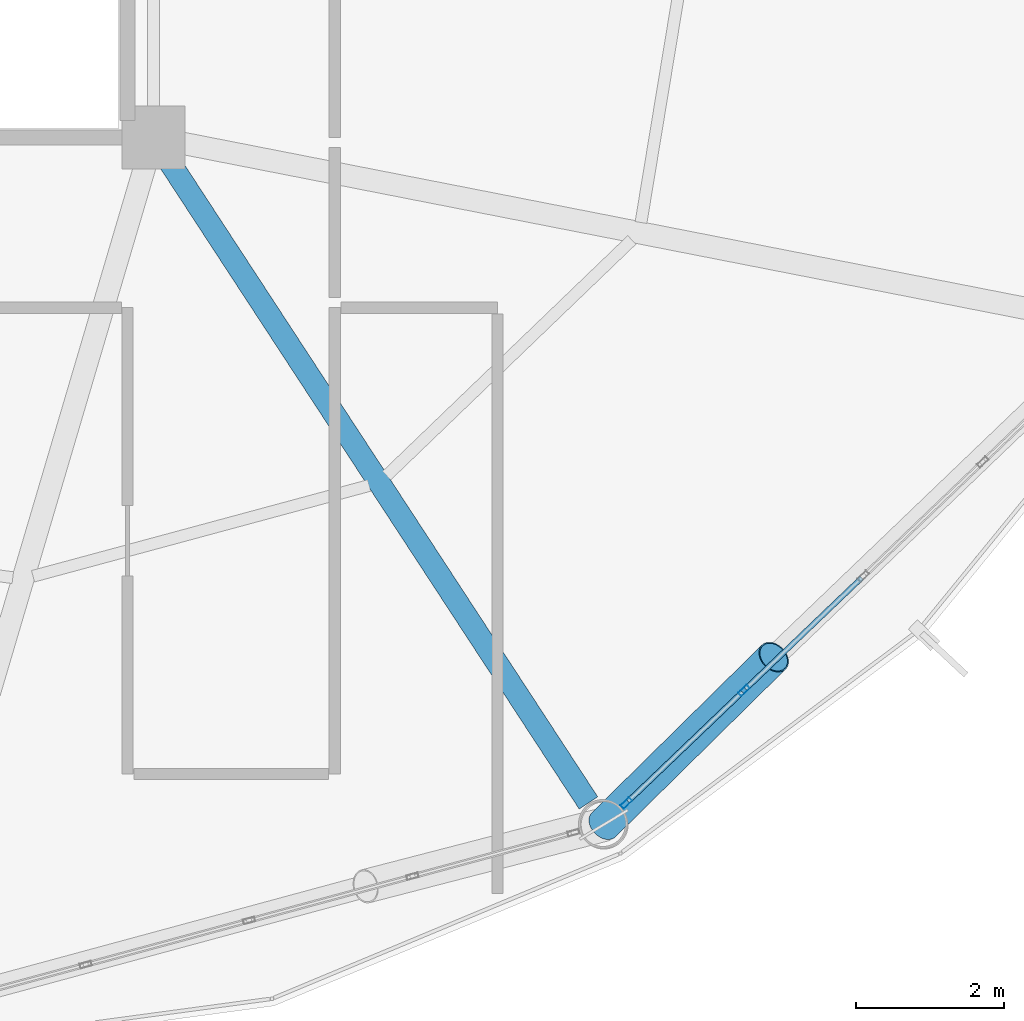
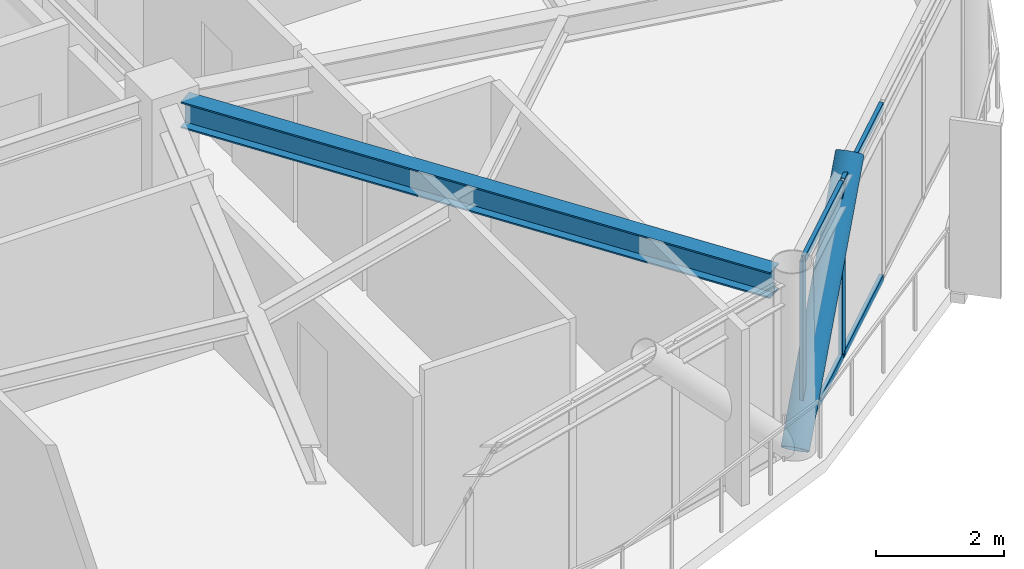
# One storey, part 9 of 28: 7 members, 1 beam, 1 element without a shape of its own.
"""IFC4 building model written with IfcOpenShell, lengths in metres."""

from ifc_helpers import new_model, si_unit, direction, frame, origin, origin_2d, place, context, subcontext, project, spatial, hollow_rectangle, hollow_circle, i_section, extrude, material, layer, layer_set, material_profile, profile_set, type_object, element, aggregate, save


model = new_model("IFC4")

# Units and contexts
model_context = context("Model", 3, precision=1e-05, world=origin(), true_north=direction((0.0, 1.0)))
body_context = subcontext(model_context, "Body", "Model", "MODEL_VIEW")
ifc_project = project(units=[si_unit("LENGTHUNIT", "METRE"), si_unit("AREAUNIT", "SQUARE_METRE"), si_unit("VOLUMEUNIT", "CUBIC_METRE"), si_unit("PLANEANGLEUNIT", "RADIAN"), si_unit("MASSUNIT", "GRAM", prefix="KILO")], contexts=[model_context])

# Site, building, storey
site_placement = place(None, origin())
site = spatial("IfcSite", under=ifc_project, at=site_placement, CompositionType="ELEMENT")
building_placement = place(site_placement, origin())
building = spatial("IfcBuilding", under=site, at=building_placement, Name="Varnakorn Sky Granary", CompositionType="ELEMENT")
storey_placement = place(building_placement, frame((0.0, 0.0, 204.0)))
storey = spatial("IfcBuildingStorey", under=building, at=storey_placement, Name="L51", CompositionType="ELEMENT", Elevation=204.0)

# Beam
ifc_material_1 = material(Name="Steel S355JR", Category="steel")
ifc_material_profile_1 = material_profile(ifc_material_1, i_section(OverallWidth=0.300048828125, OverallDepth=0.5, WebThickness=0.014404296875, FlangeThickness=0.028076171875, at=origin_2d()), Name="HE 500 B")
ifc_profile_set_1 = profile_set([ifc_material_profile_1], Name="Steel S355JR")
beam_type = type_object("IfcBeamType", Name="BM-RAD-Z4", PredefinedType="BEAM", material=ifc_profile_set_1)
beam_placement = place(storey_placement, frame((8.571533203125, -6.93896484375, 3.110107421875), z_axis=(0.547240456698, -0.836975437246, 0.0), x_axis=(0.836975437246, 0.547240456698, 0.0)))
element("IfcBeam", 1, at=beam_placement, inside=storey, type_object=beam_type, Name="Radial Floor Girder RG11 L51", PredefinedType="BEAM", context=body_context, shape_type="SweptSolid", body=[
    extrude(i_section(OverallWidth=0.300048828125, OverallDepth=0.5, WebThickness=0.014404296875, FlangeThickness=0.028076171875, at=origin_2d()), origin(), (0.0, 0.0, 1.0), 10.33984375),
])

# Curtain wall, members
ifc_material_2 = material(Name="Anodised Bronze Aluminium Alloy 6063-T6", Category="aluminium")
ifc_layer = layer(ifc_material_2, 0.169921875, Name="Anodised Bronze Aluminium Alloy 6063-T6")
ifc_layer_set = layer_set([ifc_layer], Name="Anodised Bronze Aluminium Alloy 6063-T6")
curtain_wall_type = type_object("IfcCurtainWallType", Name="CW-LAB-1", PredefinedType="USERDEFINED", material=ifc_layer_set)
curtain_wall_placement = place(storey_placement, origin())
curtain_wall = element("IfcCurtainWall", 2, at=curtain_wall_placement, inside=storey, type_object=curtain_wall_type, Name="Unitised Curtain Wall CW5 CW-L51-B11", ObjectType="CURTAIN WALL", PredefinedType="USERDEFINED")
ifc_material_profile_2 = material_profile(ifc_material_2, hollow_rectangle(XDim=0.06494140625, YDim=0.159912109375, WallThickness=0.00341796875, at=origin_2d()), Name="ALU MULL 65x160")
ifc_profile_set_2 = profile_set([ifc_material_profile_2], Name="Anodised Bronze Aluminium Alloy 6063-T6")
member_type_1 = type_object("IfcMemberType", Name="CW-LAB-1-MULL", PredefinedType="MULLION", material=ifc_profile_set_2)
member_1_placement = place(storey_placement, frame((16.331787109375, -14.072998046875, 0.0), z_axis=(0.0, 0.0, 1.0), x_axis=(0.691317195735, -0.722551406393, 0.0)))
member_1 = element("IfcMember", 3, at=member_1_placement, type_object=member_type_1, Name="CW5 mullion 4", PredefinedType="MULLION", context=body_context, shape_type="SweptSolid", body=[
    extrude(hollow_rectangle(XDim=0.06494140625, YDim=0.159912109375, WallThickness=0.00341796875, at=origin_2d()), origin(), (0.0, 0.0, 1.0), 3.360107421875),
])
member_2_placement = place(storey_placement, frame((14.74169921875, -15.59423828125, 0.0), z_axis=(0.0, 0.0, 1.0), x_axis=(0.691317195735, -0.722551406393, 0.0)))
member_2 = element("IfcMember", 4, at=member_2_placement, type_object=member_type_1, Name="CW5 mullion 5", PredefinedType="MULLION", context=body_context, shape_type="SweptSolid", body=[
    extrude(hollow_rectangle(XDim=0.06494140625, YDim=0.159912109375, WallThickness=0.00341796875, at=origin_2d()), origin(), (0.0, 0.0, 1.0), 3.360107421875),
])
ifc_material_profile_3 = material_profile(ifc_material_2, hollow_rectangle(XDim=0.070068359375, YDim=0.139892578125, WallThickness=0.00341796875, at=origin_2d()), Name="ALU TRAN 70x140")
ifc_profile_set_3 = profile_set([ifc_material_profile_3], Name="Anodised Bronze Aluminium Alloy 6063-T6")
member_type_2 = type_object("IfcMemberType", Name="CW-LAB-1-TRAN", PredefinedType="USERDEFINED", material=ifc_profile_set_3)
member_3_placement = place(storey_placement, frame((17.921875, -12.5517578125, 0.034912109375), z_axis=(-0.722585607888, -0.691281447222, 0.0), x_axis=(0.691281447222, -0.722585607888, 0.0)))
member_3 = element("IfcMember", 5, at=member_3_placement, type_object=member_type_2, Name="CW5 transom 3.1", ObjectType="TRANSOM", PredefinedType="USERDEFINED", context=body_context, shape_type="SweptSolid", body=[
    extrude(hollow_rectangle(XDim=0.070068359375, YDim=0.139892578125, WallThickness=0.00341796875, at=origin_2d()), origin(), (0.0, 0.0, 1.0), 2.168212890625),
])
member_4_placement = place(storey_placement, frame((17.921875, -12.5517578125, 3.324951171875), z_axis=(-0.722585607888, -0.691281447222, 0.0), x_axis=(0.691281447222, -0.722585607888, 0.0)))
member_4 = element("IfcMember", 6, at=member_4_placement, type_object=member_type_2, Name="CW5 transom 3.2", ObjectType="TRANSOM", PredefinedType="USERDEFINED", context=body_context, shape_type="SweptSolid", body=[
    extrude(hollow_rectangle(XDim=0.070068359375, YDim=0.139892578125, WallThickness=0.00341796875, at=origin_2d()), origin(), (0.0, 0.0, 1.0), 2.168212890625),
])
member_5_placement = place(storey_placement, frame((16.308349609375, -14.095458984375, 0.034912109375), z_axis=(-0.72254005068, -0.691329064313, 0.0), x_axis=(0.691329064313, -0.72254005068, 0.0)))
member_5 = element("IfcMember", 7, at=member_5_placement, type_object=member_type_2, Name="CW5 transom 4.1", ObjectType="TRANSOM", PredefinedType="USERDEFINED", context=body_context, shape_type="SweptSolid", body=[
    extrude(hollow_rectangle(XDim=0.070068359375, YDim=0.139892578125, WallThickness=0.00341796875, at=origin_2d()), origin(), (0.0, 0.0, 1.0), 2.135498046875),
])
member_6_placement = place(storey_placement, frame((16.308349609375, -14.095458984375, 3.324951171875), z_axis=(-0.72254005068, -0.691329064313, 0.0), x_axis=(0.691329064313, -0.72254005068, 0.0)))
member_6 = element("IfcMember", 8, at=member_6_placement, type_object=member_type_2, Name="CW5 transom 4.2", ObjectType="TRANSOM", PredefinedType="USERDEFINED", context=body_context, shape_type="SweptSolid", body=[
    extrude(hollow_rectangle(XDim=0.070068359375, YDim=0.139892578125, WallThickness=0.00341796875, at=origin_2d()), origin(), (0.0, 0.0, 1.0), 2.135498046875),
])
aggregate(curtain_wall, [member_1, member_2, member_3, member_4, member_5, member_6])

# Member
ifc_material_3 = material(Name="Steel S460M", Category="steel")
ifc_material_profile_4 = material_profile(ifc_material_3, hollow_circle(Radius=0.228515625, WallThickness=0.01611328125, at=origin_2d()), Name="CHS 457x16")
ifc_profile_set_4 = profile_set([ifc_material_profile_4], Name="Steel S460M")
member_type_3 = type_object("IfcMemberType", Name="MB-DIAG-T3", PredefinedType="BRACE", material=ifc_profile_set_4)
member_7_placement = place(storey_placement, frame((14.4365234375, -15.886474609375, 0.0), z_axis=(0.483366530218, 0.47637908888, 0.734452014187), x_axis=(-0.701940077194, 0.71223600585, 0.0)))
element("IfcMember", 9, at=member_7_placement, inside=storey, type_object=member_type_3, Name="Perimeter CHS Diagrid Brace DG11 L51", PredefinedType="BRACE", context=body_context, shape_type="SweptSolid", body=[
    extrude(hollow_circle(Radius=0.228515625, WallThickness=0.01611328125, at=origin_2d()), origin(), (0.0, 0.0, 1.0), 4.751708984375),
])

save(model, "model.ifc")
